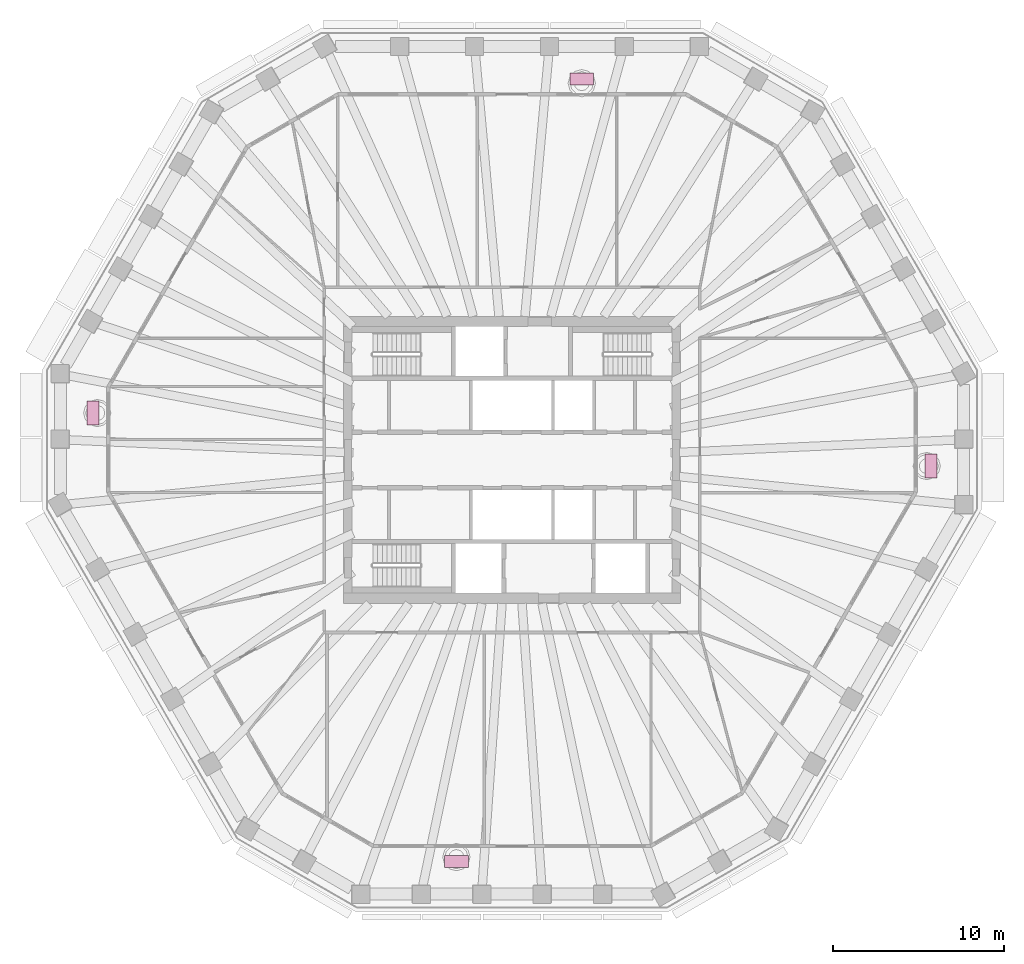
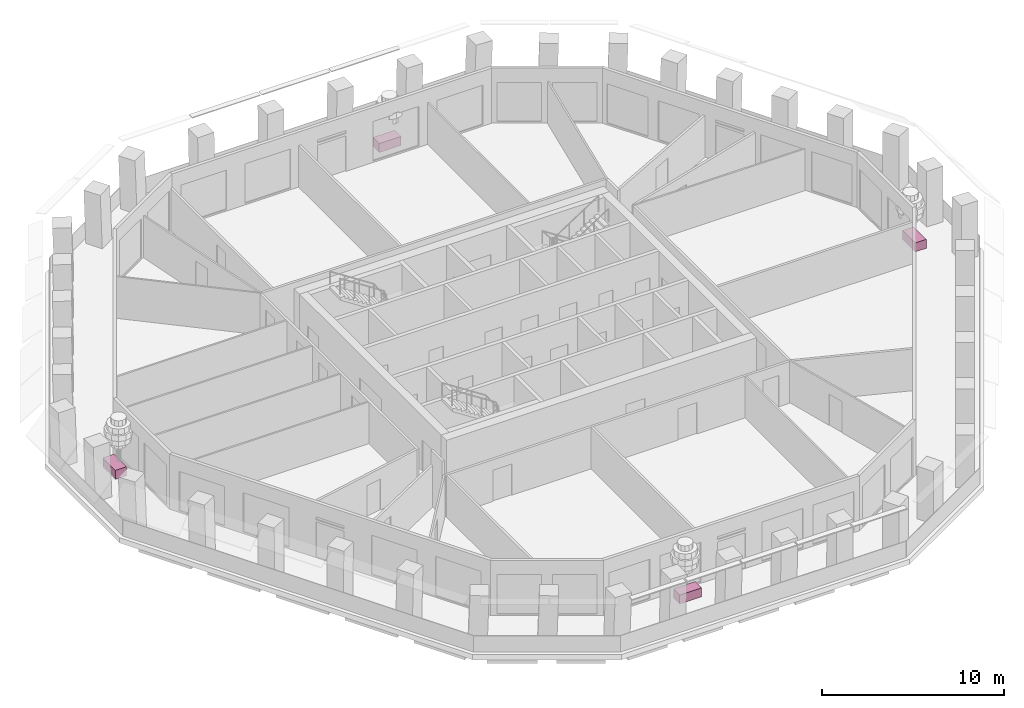
# One storey, part 11 of 12: 4 furniture elements.
"""IFC4 building model written with IfcOpenShell, lengths in metres."""

import ifcopenshell
import ifcopenshell.guid

model = None  # the IFC model being written
_history = None  # IfcOwnerHistory: only IFC2X3 demands one
_inside = {}  # id of a spatial element -> (the spatial element, [elements in it])
_under = {}  # id of a project, library or spatial element -> (it, [spatial elements below it])
_declared = {}  # id of a project -> (the project, [libraries it declares])
_typed = {}  # id of a type object -> (the type object, [elements of that type])
_made_of = {}  # id of a material, layer set ... -> (it, [elements and type objects made of it])


def new_model(schema):
    """Start an empty IFC model of exactly this schema.

    Asked for "IFC4X3", IfcOpenShell would pick the latest addendum, in which some entities
    have other attributes; the version numbers below select the first issue.
    IFC2X3 requires an IfcOwnerHistory on every rooted entity: one is made here for all.
    """
    global model, _history
    if schema == "IFC4X3":
        model = ifcopenshell.file(schema_version=(4, 3, 0, 0))
    else:
        model = ifcopenshell.file(schema=schema)
    _inside.clear()
    _under.clear()
    _declared.clear()
    _typed.clear()
    _made_of.clear()
    _history = None
    if model.schema == "IFC2X3":
        org = make("IfcOrganization", Name="unknown")
        user = make(
            "IfcPersonAndOrganization",
            ThePerson=make("IfcPerson", FamilyName="unknown"),
            TheOrganization=org,
        )
        app = make(
            "IfcApplication",
            ApplicationDeveloper=org,
            Version="unknown",
            ApplicationFullName="unknown",
            ApplicationIdentifier="unknown",
        )
        _history = make(
            "IfcOwnerHistory",
            OwningUser=user,
            OwningApplication=app,
            ChangeAction="ADDED",
            CreationDate=0,
        )
    return model


def make(cls, **values):
    """One entity of the class cls with the attributes given. An attribute that is None is left unset."""
    return model.create_entity(
        cls, **{name: value for name, value in values.items() if value is not None}
    )


def rooted(cls, **values):
    """An entity with a GlobalId (a new one), such as an element, a storey or a relation."""
    return make(cls, GlobalId=ifcopenshell.guid.new(), OwnerHistory=_history, **values)


def si_unit(unit_type, name, prefix=None):
    """IfcSIUnit, for example si_unit("LENGTHUNIT", "METRE", prefix="MILLI")."""
    return make("IfcSIUnit", UnitType=unit_type, Prefix=prefix, Name=name)


def assignment(units):
    """IfcUnitAssignment: the units of a project."""
    return None if units is None else make("IfcUnitAssignment", Units=units)


def point(xyz):
    """IfcCartesianPoint."""
    return None if xyz is None else make("IfcCartesianPoint", Coordinates=xyz)


def direction(xyz):
    """IfcDirection."""
    return None if xyz is None else make("IfcDirection", DirectionRatios=xyz)


def frame(location, z_axis=None, x_axis=None):
    """IfcAxis2Placement3D, a coordinate frame: its origin and axes. An axis left out is left unset."""
    return make(
        "IfcAxis2Placement3D",
        Location=point(location),
        Axis=direction(z_axis),
        RefDirection=direction(x_axis),
    )


def frame_2d(location, x_axis=None):
    """IfcAxis2Placement2D, a coordinate frame in the plane: its origin and x axis."""
    return make(
        "IfcAxis2Placement2D", Location=point(location), RefDirection=direction(x_axis)
    )


def origin():
    """The frame at (0, 0, 0) with its axes left unset."""
    return frame((0.0, 0.0, 0.0))


def origin_2d():
    """The frame at (0, 0) in the plane with its x axis left unset."""
    return frame_2d((0.0, 0.0))


def place(relative_to, where):
    """IfcLocalPlacement: puts the frame where relative to a parent placement (None: the world)."""
    return make(
        "IfcLocalPlacement", PlacementRelTo=relative_to, RelativePlacement=where
    )


def context(
    kind, dimensions, precision=None, world=None, true_north=None, identifier=None
):
    """IfcGeometricRepresentationContext, for example the 3D "Model" context."""
    return make(
        "IfcGeometricRepresentationContext",
        ContextIdentifier=identifier,
        ContextType=kind,
        CoordinateSpaceDimension=dimensions,
        Precision=precision,
        WorldCoordinateSystem=world,
        TrueNorth=true_north,
    )


def subcontext(parent, identifier, kind, view, scale=None):
    """IfcGeometricRepresentationSubContext, for example "Body" below "Model"."""
    return make(
        "IfcGeometricRepresentationSubContext",
        ContextIdentifier=identifier,
        ContextType=kind,
        ParentContext=parent,
        TargetScale=scale,
        TargetView=view,
    )


def project(units=None, contexts=None):
    """IfcProject with its units and contexts."""
    return rooted(
        "IfcProject",
        Name="project",
        RepresentationContexts=contexts,
        UnitsInContext=assignment(units),
    )


def spatial(cls, under=None, at=None, **own):
    """A site, building, storey or space (cls), placed at a placement, below another one or the project."""
    s = rooted(cls, ObjectPlacement=at, **own)
    if under is not None:
        _under.setdefault(under.id(), (under, []))[1].append(s)
    return s


def profile(cls, at=None, kind="AREA", **sizes):
    """A parametric profile (cls). Its sizes go by their IFC names, for example OverallWidth=200.0."""
    return make(cls, ProfileType=kind, Position=at, **sizes)


def rectangle(**sizes):
    """IfcRectangleProfileDef."""
    return profile("IfcRectangleProfileDef", **sizes)


def extrude(swept, where, along, depth):
    """IfcExtrudedAreaSolid: the profile swept, set in the frame where, extruded along a direction by depth."""
    return make(
        "IfcExtrudedAreaSolid",
        SweptArea=swept,
        Position=where,
        ExtrudedDirection=direction(along),
        Depth=depth,
    )


def shape(context_of_items, identifier, shape_type, items):
    """IfcShapeRepresentation: the items that make up one representation, for example the "Body"."""
    return make(
        "IfcShapeRepresentation",
        ContextOfItems=context_of_items,
        RepresentationIdentifier=identifier,
        RepresentationType=shape_type,
        Items=items,
    )


def material(Name=None, Category=None):
    """IfcMaterial."""
    return make("IfcMaterial", Name=Name, Category=Category)


def made_of(thing, what):
    """Note that an element or type object is made of a material, layer set ...; save() writes the relation."""
    if what is not None:
        _made_of.setdefault(what.id(), (what, []))[1].append(thing)
    return thing


def type_object(cls, material=None, **own):
    """A type object (cls), such as IfcWallType, which elements share."""
    return made_of(rooted(cls, **own), material)


def element(
    cls,
    number,
    at=None,
    inside=None,
    cuts=None,
    type_object=None,
    material=None,
    context=None,
    identifier="Body",
    shape_type=None,
    held_by="IfcProductDefinitionShape",
    body=None,
    shapes=None,
    **own,
):
    """One element of the class cls, such as IfcWall. Its Tag is "e" and its number.

    at: its placement. inside: the storey or other place that contains it. cuts: it is an
    opening in that element (IfcRelVoidsElement). A single representation is given by context,
    identifier, shape_type and body (its items); several are given by shapes. held_by: the class
    of the entity that holds the representations. save() writes the other relations.
    """
    e = rooted(cls, Tag="e%d" % number, ObjectPlacement=at, **own)
    if body is not None:
        shapes = [shape(context, identifier, shape_type, body)]
    if shapes is not None:
        e.Representation = make(held_by, Representations=shapes)
    if inside is not None:
        _inside.setdefault(inside.id(), (inside, []))[1].append(e)
    if cuts is not None:
        rooted(
            "IfcRelVoidsElement", RelatingBuildingElement=cuts, RelatedOpeningElement=e
        )
    if type_object is not None:
        _typed.setdefault(type_object.id(), (type_object, []))[1].append(e)
    return made_of(e, material)


def aggregate(whole, parts):
    """IfcRelAggregates: a whole, such as a stair, and the parts it consists of."""
    return rooted("IfcRelAggregates", RelatingObject=whole, RelatedObjects=parts)


def save(model, path):
    """Write the relations noted so far, then the file.

    IfcRelAggregates (storeys below a building ...), IfcRelContainedInSpatialStructure (elements
    in a storey), IfcRelDefinesByType, IfcRelAssociatesMaterial and IfcRelDeclares: one each for
    every whole, place, type object, material and project.
    """
    for whole, parts in _under.values():
        aggregate(whole, parts)
    for where, things in _inside.values():
        rooted(
            "IfcRelContainedInSpatialStructure",
            RelatedElements=things,
            RelatingStructure=where,
        )
    for kind, things in _typed.values():
        rooted("IfcRelDefinesByType", RelatedObjects=things, RelatingType=kind)
    for what, things in _made_of.values():
        rooted("IfcRelAssociatesMaterial", RelatedObjects=things, RelatingMaterial=what)
    for by, libraries in _declared.values():
        rooted("IfcRelDeclares", RelatingContext=by, RelatedDefinitions=libraries)
    model.write(path)


model = new_model("IFC4")

# Units and contexts
model_context = context("Model", 3, precision=1e-05, world=origin(), true_north=direction((0.0, 1.0)))
body_context = subcontext(model_context, "Body", "Model", "MODEL_VIEW")
ifc_project = project(units=[si_unit("LENGTHUNIT", "METRE"), si_unit("AREAUNIT", "SQUARE_METRE"), si_unit("VOLUMEUNIT", "CUBIC_METRE"), si_unit("PLANEANGLEUNIT", "RADIAN"), si_unit("MASSUNIT", "GRAM", prefix="KILO")], contexts=[model_context])

# Site, building, storey
site_placement = place(None, origin())
site = spatial("IfcSite", under=ifc_project, at=site_placement, CompositionType="ELEMENT")
building_placement = place(site_placement, origin())
building = spatial("IfcBuilding", under=site, at=building_placement, Name="Frailejon Research Tower", CompositionType="ELEMENT")
storey_placement = place(building_placement, frame((0.0, 0.0, 249.39990234375)))
storey = spatial("IfcBuildingStorey", under=building, at=storey_placement, Name="L54", CompositionType="ELEMENT", Elevation=249.39990234375)

# Furniture
ifc_material = material(Name="Precast concrete C30/37 planter, terracotta", Category="masonry")
furniture_type = type_object("IfcFurnitureType", Name="Loggia planter 1400x700", AssemblyPlace="NOTDEFINED", PredefinedType="USERDEFINED", material=ifc_material)
for number, where, z_axis, x_axis, name in (
    (1, (24.52392578125, -0.357421875, 0.0), (0.0, 0.0, 1.0), (0.0, 1.0, 0.0), "Planter L54"),
    (2, (4.08349609375, 22.300048828125, 0.0), (0.0, 0.0, 1.0), (-1.0, 0.0, 0.0), "Planter L54"),
    (3, (-24.52392578125, 2.745849609375, 0.0), (0.0, 0.0, 1.0), (0.0, -1.0, 0.0), "Planter L54"),
    (4, (-3.256103515625, -23.494140625, 0.0), (0.0, 0.0, 1.0), (1.0, 0.0, 0.0), "Planter L54"),
):
    element("IfcFurniture", number, at=place(storey_placement, frame(where, z_axis=z_axis, x_axis=x_axis)), inside=storey, type_object=furniture_type, Name=name, ObjectType="PLANTER", PredefinedType="USERDEFINED", context=body_context, shape_type="SweptSolid", body=[
        extrude(rectangle(XDim=1.39990234375, YDim=0.699951171875, at=origin_2d()), origin(), (0.0, 0.0, 1.0), 0.60009765625),
    ])

save(model, "model.ifc")
